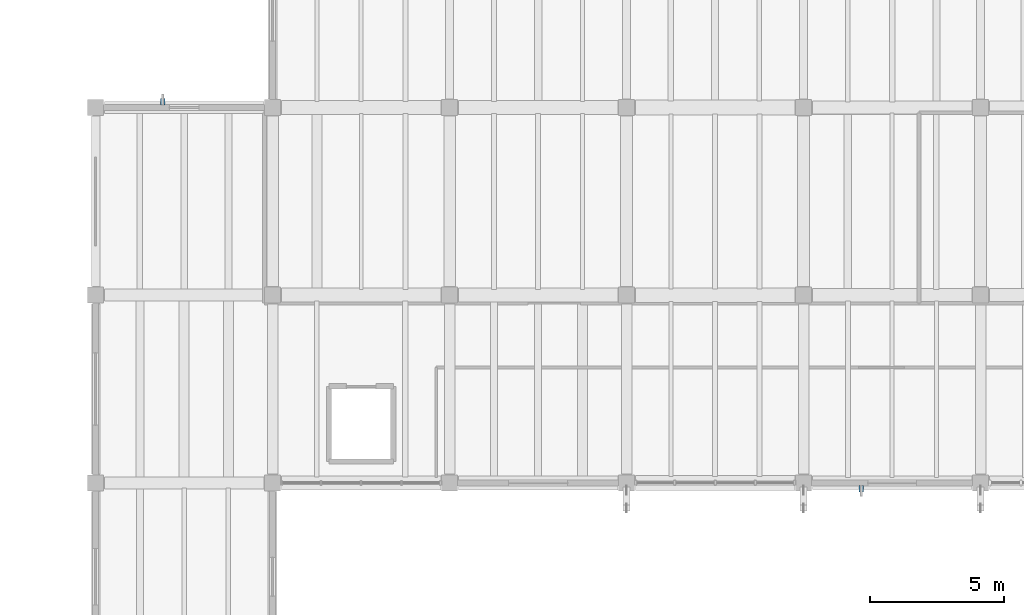
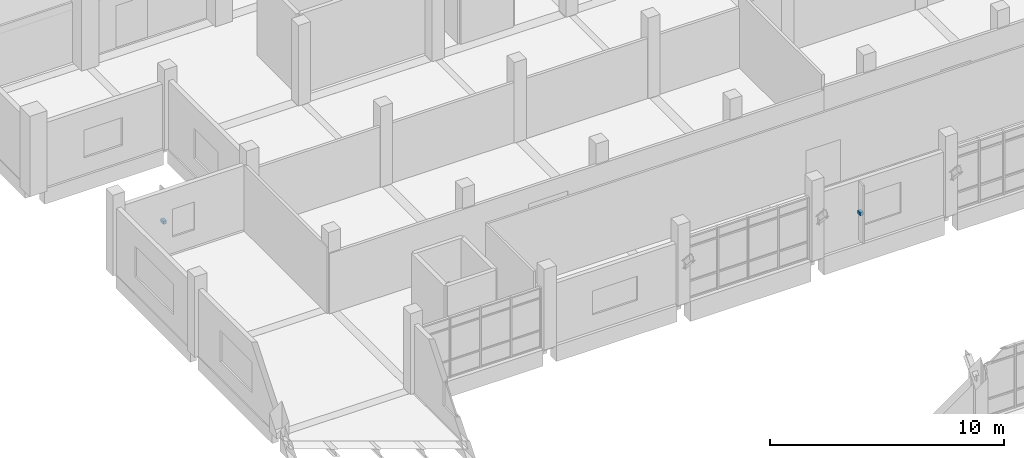
# One storey, part 56 of 68: 2 discrete accessories.
"""IFC4 building model written with IfcOpenShell, lengths in metres."""

from ifc_helpers import new_model, si_unit, direction, frame, origin, origin_2d, place, context, subcontext, project, spatial, rectangle, extrude, material, type_object, element, save


model = new_model("IFC4")

# Units and contexts
model_context = context("Model", 3, precision=1e-05, world=origin(), true_north=direction((0.0, 1.0)))
body_context = subcontext(model_context, "Body", "Model", "MODEL_VIEW")
ifc_project = project(units=[si_unit("LENGTHUNIT", "METRE"), si_unit("AREAUNIT", "SQUARE_METRE"), si_unit("VOLUMEUNIT", "CUBIC_METRE"), si_unit("PLANEANGLEUNIT", "RADIAN"), si_unit("MASSUNIT", "GRAM", prefix="KILO")], contexts=[model_context])

# Site, building, storey
site_placement = place(None, origin())
site = spatial("IfcSite", under=ifc_project, at=site_placement, CompositionType="ELEMENT")
building_placement = place(site_placement, origin())
building = spatial("IfcBuilding", under=site, at=building_placement, Name="Ciguamira Faculty of Natural Sciences", CompositionType="ELEMENT")
storey_placement = place(building_placement, frame((0.0, 0.0, 4.199951171875)))
storey = spatial("IfcBuildingStorey", under=building, at=storey_placement, Name="L01", CompositionType="ELEMENT", Elevation=4.199951171875)

# Discrete accessories
ifc_material = material(Name="Stainless steel fixing bracket", Category="steel")
discrete_accessory_type = type_object("IfcDiscreteAccessoryType", Name="FacadeBracket_BK01", PredefinedType="BRACKET", material=ifc_material)
for number, where, z_axis, x_axis, name in (
    (1, (85.85009765625, 72.7900390625, 1.5703125), (0.0, 0.0, 1.0), (1.0, 0.0, 0.0), "L01 sunshade fixing bracket 0016"),
    (2, (59.800048828125, 87.2099609375, 1.4951171875), (0.0, 0.0, 1.0), (1.0, 0.0, 0.0), "L01 sunshade fixing bracket 0017"),
):
    element("IfcDiscreteAccessory", number, at=place(storey_placement, frame(where, z_axis=z_axis, x_axis=x_axis)), inside=storey, type_object=discrete_accessory_type, Name=name, PredefinedType="BRACKET", context=body_context, shape_type="SweptSolid", body=[
        extrude(rectangle(XDim=0.159912109375, YDim=0.239990234375, at=origin_2d()), origin(), (0.0, 0.0, 1.0), 0.159912109375),
    ])

save(model, "model.ifc")
